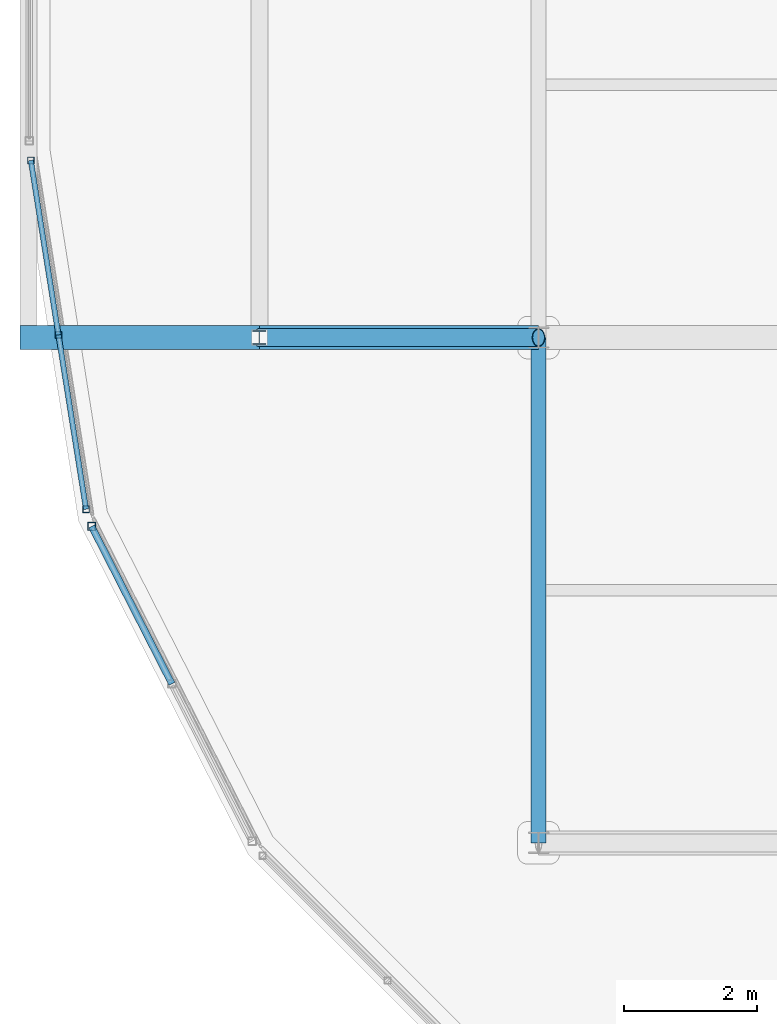
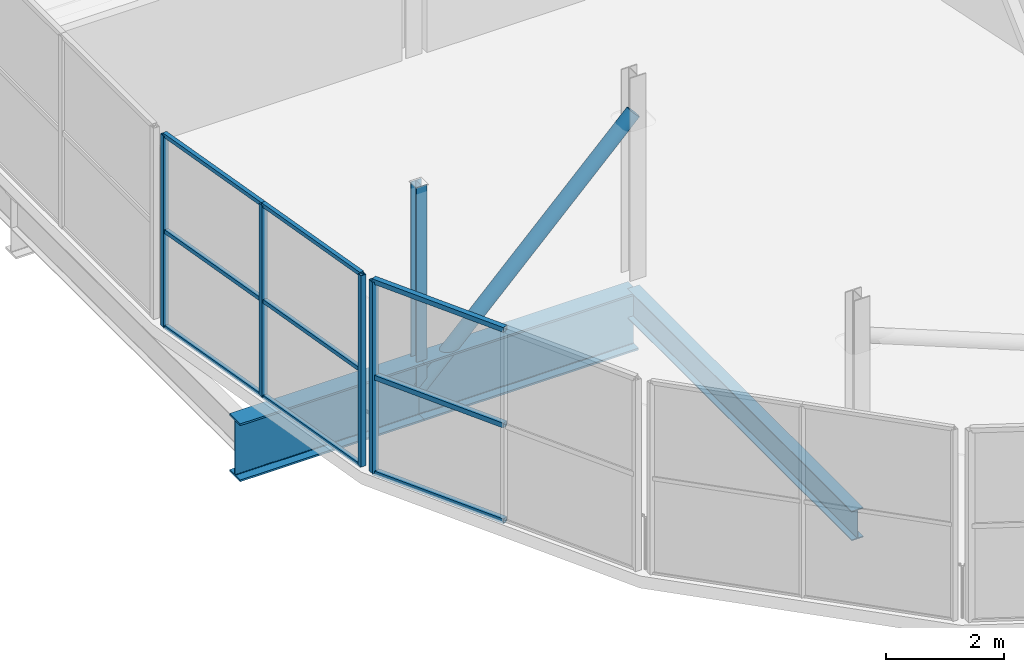
# One storey, part 21 of 151: 15 members, 3 beams, 2 elements without a shape of their own.
"""IFC4 building model written with IfcOpenShell, lengths in metres."""

from ifc_helpers import new_model, si_unit, direction, frame, origin, origin_2d, place, context, subcontext, project, spatial, hollow_rectangle, hollow_circle, i_section, extrude, material, material_profile, profile_set, type_object, element, aggregate, save


model = new_model("IFC4")

# Units and contexts
model_context = context("Model", 3, precision=1e-05, world=origin(), true_north=direction((0.0, 1.0)))
body_context = subcontext(model_context, "Body", "Model", "MODEL_VIEW")
ifc_project = project(units=[si_unit("LENGTHUNIT", "METRE"), si_unit("AREAUNIT", "SQUARE_METRE"), si_unit("VOLUMEUNIT", "CUBIC_METRE"), si_unit("PLANEANGLEUNIT", "RADIAN"), si_unit("MASSUNIT", "GRAM", prefix="KILO")], contexts=[model_context])

# Site, building, storey
site_placement = place(None, origin())
site = spatial("IfcSite", under=ifc_project, at=site_placement, CompositionType="ELEMENT")
building_placement = place(site_placement, origin())
building = spatial("IfcBuilding", under=site, at=building_placement, Name="Zuvorla Pavilion Media Centre", CompositionType="ELEMENT")
storey_placement = place(building_placement, frame((0.0, 0.0, 13.800048828125)))
storey = spatial("IfcBuildingStorey", under=building, at=storey_placement, Name="L03", CompositionType="ELEMENT", Elevation=13.800048828125)

# Beams
ifc_material_1 = material(Name="Steel S355", Category="steel")
ifc_material_profile_1 = material_profile(ifc_material_1, i_section(OverallWidth=0.360107421875, OverallDepth=1.199951171875, WebThickness=0.02001953125, FlangeThickness=0.0380859375, FilletRadius=0.02392578125, at=origin_2d()), Name="PG 1200x360x38")
ifc_profile_set_1 = profile_set([ifc_material_profile_1], Name="Steel S355")
beam_type_1 = type_object("IfcBeamType", Name="BM-PG1200", PredefinedType="BEAM", material=ifc_profile_set_1)
beam_1_placement = place(storey_placement, frame((16.39990234375, 59.199951171875, -0.858154296875), z_axis=(-1.0, 0.0, 0.0), x_axis=(0.0, -1.0, 0.0)))
element("IfcBeam", 1, at=beam_1_placement, inside=storey, type_object=beam_type_1, Name="L03 beam B01 1696", PredefinedType="BEAM", context=body_context, shape_type="SweptSolid", body=[
    extrude(i_section(OverallWidth=0.360107421875, OverallDepth=1.199951171875, WebThickness=0.02001953125, FlangeThickness=0.0380859375, FilletRadius=0.02392578125, at=origin_2d()), origin(), (0.0, 0.0, 1.0), 4.199951171875),
])
beam_2_placement = place(storey_placement, frame((12.199951171875, 59.199951171875, -0.858154296875), z_axis=(-1.0, 0.0, 0.0), x_axis=(0.0, -1.0, 0.0)))
element("IfcBeam", 2, at=beam_2_placement, inside=storey, type_object=beam_type_1, Name="L03 beam B01 1697", PredefinedType="BEAM", context=body_context, shape_type="SweptSolid", body=[
    extrude(i_section(OverallWidth=0.360107421875, OverallDepth=1.199951171875, WebThickness=0.02001953125, FlangeThickness=0.0380859375, FilletRadius=0.02392578125, at=origin_2d()), origin(), (0.0, 0.0, 1.0), 3.599853515625),
])
ifc_material_profile_2 = material_profile(ifc_material_1, i_section(OverallWidth=0.22900390625, OverallDepth=0.6123046875, WebThickness=0.011962890625, FlangeThickness=0.01953125, FilletRadius=0.0126953125, at=origin_2d()), Name="UB 610x229x125")
ifc_profile_set_2 = profile_set([ifc_material_profile_2], Name="Steel S355")
beam_type_2 = type_object("IfcBeamType", Name="BM-UB610", PredefinedType="BEAM", material=ifc_profile_set_2)
beam_3_placement = place(storey_placement, frame((16.39990234375, 51.60009765625, -0.564208984375), z_axis=(0.0, 1.0, 0.0), x_axis=(-1.0, 0.0, 0.0)))
element("IfcBeam", 3, at=beam_3_placement, inside=storey, type_object=beam_type_2, Name="L03 beam B07 1147", PredefinedType="BEAM", context=body_context, shape_type="SweptSolid", body=[
    extrude(i_section(OverallWidth=0.22900390625, OverallDepth=0.6123046875, WebThickness=0.011962890625, FlangeThickness=0.01953125, FilletRadius=0.0126953125, at=origin_2d()), origin(), (0.0, 0.0, 1.0), 7.599853515625),
])

# Curtain wall, members
ifc_material_2 = material(Name="Unitised anodised aluminium and solar glass curtain wall", Category="aluminium")
curtain_wall_type_1 = type_object("IfcCurtainWallType", Name="CW-SYS-02", PredefinedType="USERDEFINED", material=ifc_material_2)
curtain_wall_1_placement = place(storey_placement, origin())
curtain_wall_1 = element("IfcCurtainWall", 4, at=curtain_wall_1_placement, inside=storey, type_object=curtain_wall_type_1, Name="L03 curtain wall CW02 127", ObjectType="CURTAIN WALL", PredefinedType="USERDEFINED")
ifc_material_3 = material(Name="Anodised aluminium 6063-T6", Category="aluminium")
ifc_material_profile_3 = material_profile(ifc_material_3, hollow_rectangle(XDim=0.10009765625, YDim=0.10009765625, WallThickness=0.00439453125, at=origin_2d()), Name="ALU MULL 100x100")
ifc_profile_set_3 = profile_set([ifc_material_profile_3], Name="Anodised aluminium 6063-T6")
member_type_1 = type_object("IfcMemberType", Name="CW-MULL-100", PredefinedType="MULLION", material=ifc_profile_set_3)
member_1_placement = place(storey_placement, frame((8.76318359375, 61.864013671875, 0.0), z_axis=(0.0, 0.0, 1.0), x_axis=(1.0, 0.0, 0.0)))
member_1 = element("IfcMember", 5, at=member_1_placement, type_object=member_type_1, Name="CW02 mullion 1", PredefinedType="MULLION", context=body_context, shape_type="SweptSolid", body=[
    extrude(hollow_rectangle(XDim=0.10009765625, YDim=0.10009765625, WallThickness=0.00439453125, at=origin_2d()), origin(), (0.0, 0.0, 1.0), 3.9599609375),
])
member_2_placement = place(storey_placement, frame((9.1787109375, 59.24072265625, 0.0), z_axis=(0.0, 0.0, 1.0), x_axis=(1.0, 0.0, 0.0)))
member_2 = element("IfcMember", 6, at=member_2_placement, type_object=member_type_1, Name="CW02 mullion 2", PredefinedType="MULLION", context=body_context, shape_type="SweptSolid", body=[
    extrude(hollow_rectangle(XDim=0.10009765625, YDim=0.10009765625, WallThickness=0.00439453125, at=origin_2d()), origin(), (0.0, 0.0, 1.0), 3.9599609375),
])
member_3_placement = place(storey_placement, frame((9.59423828125, 56.61767578125, 0.0), z_axis=(0.0, 0.0, 1.0), x_axis=(1.0, 0.0, 0.0)))
member_3 = element("IfcMember", 7, at=member_3_placement, type_object=member_type_1, Name="CW02 mullion 3", PredefinedType="MULLION", context=body_context, shape_type="SweptSolid", body=[
    extrude(hollow_rectangle(XDim=0.10009765625, YDim=0.10009765625, WallThickness=0.00439453125, at=origin_2d()), origin(), (0.0, 0.0, 1.0), 3.9599609375),
])

curtain_wall_type_2 = type_object("IfcCurtainWallType", Name="CW-SYS-03", PredefinedType="USERDEFINED", material=ifc_material_2)
curtain_wall_2_placement = place(storey_placement, origin())
curtain_wall_2 = element("IfcCurtainWall", 8, at=curtain_wall_2_placement, inside=storey, type_object=curtain_wall_type_2, Name="L03 curtain wall CW03 128", ObjectType="CURTAIN WALL", PredefinedType="USERDEFINED")
ifc_material_profile_4 = material_profile(ifc_material_3, hollow_rectangle(XDim=0.1201171875, YDim=0.1201171875, WallThickness=0.0048828125, at=origin_2d()), Name="ALU MULL 120x120")
ifc_profile_set_4 = profile_set([ifc_material_profile_4], Name="Anodised aluminium 6063-T6")
member_type_2 = type_object("IfcMemberType", Name="CW-MULL-120", PredefinedType="MULLION", material=ifc_profile_set_4)
member_4_placement = place(storey_placement, frame((9.678466796875, 56.358642578125, 0.0), z_axis=(0.0, 0.0, 1.0), x_axis=(1.0, 0.0, 0.0)))
member_4 = element("IfcMember", 9, at=member_4_placement, type_object=member_type_2, Name="CW03 mullion 1", PredefinedType="MULLION", context=body_context, shape_type="SweptSolid", body=[
    extrude(hollow_rectangle(XDim=0.1201171875, YDim=0.1201171875, WallThickness=0.0048828125, at=origin_2d()), origin(), (0.0, 0.0, 1.0), 3.9599609375),
])
ifc_material_profile_5 = material_profile(ifc_material_3, hollow_rectangle(XDim=0.10009765625, YDim=0.10009765625, WallThickness=0.00439453125, at=origin_2d()), Name="ALU TRAN 100x100")
ifc_profile_set_5 = profile_set([ifc_material_profile_5], Name="Anodised aluminium 6063-T6")
member_type_3 = type_object("IfcMemberType", Name="CW-TRAN-100", PredefinedType="USERDEFINED", material=ifc_profile_set_5)
member_5_placement = place(storey_placement, frame((9.678466796875, 56.358642578125, 0.0), z_axis=(0.45396709639, -0.891018448403, 0.0), x_axis=(0.891018448403, 0.45396709639, 0.0)))
member_5 = element("IfcMember", 10, at=member_5_placement, type_object=member_type_3, Name="CW03 transom 1.1", ObjectType="TRANSOM", PredefinedType="USERDEFINED", context=body_context, shape_type="SweptSolid", body=[
    extrude(hollow_rectangle(XDim=0.10009765625, YDim=0.10009765625, WallThickness=0.00439453125, at=origin_2d()), origin(), (0.0, 0.0, 1.0), 2.655517578125),
])
member_6_placement = place(storey_placement, frame((9.678466796875, 56.358642578125, 1.97998046875), z_axis=(0.45396709639, -0.891018448403, 0.0), x_axis=(0.891018448403, 0.45396709639, 0.0)))
member_6 = element("IfcMember", 11, at=member_6_placement, type_object=member_type_3, Name="CW03 transom 1.2", ObjectType="TRANSOM", PredefinedType="USERDEFINED", context=body_context, shape_type="SweptSolid", body=[
    extrude(hollow_rectangle(XDim=0.10009765625, YDim=0.10009765625, WallThickness=0.00439453125, at=origin_2d()), origin(), (0.0, 0.0, 1.0), 2.655517578125),
])
member_7_placement = place(storey_placement, frame((9.678466796875, 56.358642578125, 3.9599609375), z_axis=(0.45396709639, -0.891018448403, 0.0), x_axis=(0.891018448403, 0.45396709639, 0.0)))
member_7 = element("IfcMember", 12, at=member_7_placement, type_object=member_type_3, Name="CW03 transom 1.3", ObjectType="TRANSOM", PredefinedType="USERDEFINED", context=body_context, shape_type="SweptSolid", body=[
    extrude(hollow_rectangle(XDim=0.10009765625, YDim=0.10009765625, WallThickness=0.00439453125, at=origin_2d()), origin(), (0.0, 0.0, 1.0), 2.655517578125),
])
aggregate(curtain_wall_2, [member_4, member_5, member_6, member_7])

# Member
ifc_material_profile_6 = material_profile(ifc_material_3, hollow_rectangle(XDim=0.080078125, YDim=0.080078125, WallThickness=0.00390625, at=origin_2d()), Name="ALU TRAN 80x80")
ifc_profile_set_6 = profile_set([ifc_material_profile_6], Name="Anodised aluminium 6063-T6")
member_type_4 = type_object("IfcMemberType", Name="CW-TRAN-80", PredefinedType="USERDEFINED", material=ifc_profile_set_6)
member_8_placement = place(storey_placement, frame((8.76318359375, 61.864013671875, 0.0), z_axis=(0.156448739647, -0.987686079614, 0.0), x_axis=(0.987686079614, 0.156448739647, 0.0)))
member_8 = element("IfcMember", 13, at=member_8_placement, type_object=member_type_4, Name="CW02 transom 1.1", ObjectType="TRANSOM", PredefinedType="USERDEFINED", context=body_context, shape_type="SweptSolid", body=[
    extrude(hollow_rectangle(XDim=0.080078125, YDim=0.080078125, WallThickness=0.00390625, at=origin_2d()), origin(), (0.0, 0.0, 1.0), 2.656005859375),
])

member_9_placement = place(storey_placement, frame((8.76318359375, 61.864013671875, 1.97998046875), z_axis=(0.156448739647, -0.987686079614, 0.0), x_axis=(0.987686079614, 0.156448739647, 0.0)))
member_9 = element("IfcMember", 14, at=member_9_placement, type_object=member_type_4, Name="CW02 transom 1.2", ObjectType="TRANSOM", PredefinedType="USERDEFINED", context=body_context, shape_type="SweptSolid", body=[
    extrude(hollow_rectangle(XDim=0.080078125, YDim=0.080078125, WallThickness=0.00390625, at=origin_2d()), origin(), (0.0, 0.0, 1.0), 2.656005859375),
])

member_10_placement = place(storey_placement, frame((8.76318359375, 61.864013671875, 3.9599609375), z_axis=(0.156448739647, -0.987686079614, 0.0), x_axis=(0.987686079614, 0.156448739647, 0.0)))
member_10 = element("IfcMember", 15, at=member_10_placement, type_object=member_type_4, Name="CW02 transom 1.3", ObjectType="TRANSOM", PredefinedType="USERDEFINED", context=body_context, shape_type="SweptSolid", body=[
    extrude(hollow_rectangle(XDim=0.080078125, YDim=0.080078125, WallThickness=0.00390625, at=origin_2d()), origin(), (0.0, 0.0, 1.0), 2.656005859375),
])

member_11_placement = place(storey_placement, frame((9.1787109375, 59.24072265625, 0.0), z_axis=(0.156462944686, -0.987683829441, 0.0), x_axis=(0.987683829441, 0.156462944686, 0.0)))
member_11 = element("IfcMember", 16, at=member_11_placement, type_object=member_type_4, Name="CW02 transom 2.1", ObjectType="TRANSOM", PredefinedType="USERDEFINED", context=body_context, shape_type="SweptSolid", body=[
    extrude(hollow_rectangle(XDim=0.080078125, YDim=0.080078125, WallThickness=0.00390625, at=origin_2d()), origin(), (0.0, 0.0, 1.0), 2.65576171875),
])

member_12_placement = place(storey_placement, frame((9.1787109375, 59.24072265625, 1.97998046875), z_axis=(0.156462944686, -0.987683829441, 0.0), x_axis=(0.987683829441, 0.156462944686, 0.0)))
member_12 = element("IfcMember", 17, at=member_12_placement, type_object=member_type_4, Name="CW02 transom 2.2", ObjectType="TRANSOM", PredefinedType="USERDEFINED", context=body_context, shape_type="SweptSolid", body=[
    extrude(hollow_rectangle(XDim=0.080078125, YDim=0.080078125, WallThickness=0.00390625, at=origin_2d()), origin(), (0.0, 0.0, 1.0), 2.65576171875),
])

member_13_placement = place(storey_placement, frame((9.1787109375, 59.24072265625, 3.9599609375), z_axis=(0.156462944686, -0.987683829441, 0.0), x_axis=(0.987683829441, 0.156462944686, 0.0)))
member_13 = element("IfcMember", 18, at=member_13_placement, type_object=member_type_4, Name="CW02 transom 2.3", ObjectType="TRANSOM", PredefinedType="USERDEFINED", context=body_context, shape_type="SweptSolid", body=[
    extrude(hollow_rectangle(XDim=0.080078125, YDim=0.080078125, WallThickness=0.00390625, at=origin_2d()), origin(), (0.0, 0.0, 1.0), 2.65576171875),
])

aggregate(curtain_wall_1, [member_1, member_2, member_3, member_8, member_9, member_10, member_11, member_12, member_13])

# Members
ifc_material_profile_7 = material_profile(ifc_material_1, hollow_circle(Radius=0.136474609375, WallThickness=0.012451171875, at=origin_2d()), Name="CHS 273x12.5")
ifc_profile_set_7 = profile_set([ifc_material_profile_7], Name="Steel S355")
member_type_5 = type_object("IfcMemberType", Name="MEM-BRC-CHS273", PredefinedType="BRACE", material=ifc_profile_set_7)
member_14_placement = place(storey_placement, frame((16.39990234375, 59.199951171875, 3.35986328125), z_axis=(-0.704583438737, 0.0, -0.709621150937), x_axis=(0.0, -1.0, 0.0)))
element("IfcMember", 19, at=member_14_placement, inside=storey, type_object=member_type_5, Name="L03 diagonal brace TB01 13", PredefinedType="BRACE", context=body_context, shape_type="SweptSolid", body=[
    extrude(hollow_circle(Radius=0.136474609375, WallThickness=0.012451171875, at=origin_2d()), origin(), (0.0, 0.0, 1.0), 5.9609375),
])
ifc_material_profile_8 = material_profile(ifc_material_1, i_section(OverallWidth=0.205810546875, OverallDepth=0.209716796875, WebThickness=0.009521484375, FlangeThickness=0.01416015625, FilletRadius=0.01025390625, at=origin_2d()), Name="UC 203x203x60")
ifc_profile_set_8 = profile_set([ifc_material_profile_8], Name="Steel S355")
member_type_6 = type_object("IfcMemberType", Name="MEM-STR-UC203", PredefinedType="STRUT", material=ifc_profile_set_8)
member_15_placement = place(storey_placement, frame((12.199951171875, 59.199951171875, -0.8701171875), z_axis=(0.0, 0.0, 1.0), x_axis=(1.0, 0.0, 0.0)))
element("IfcMember", 20, at=member_15_placement, inside=storey, type_object=member_type_6, Name="L03 vertical strut TS02 14", PredefinedType="STRUT", context=body_context, shape_type="SweptSolid", body=[
    extrude(i_section(OverallWidth=0.205810546875, OverallDepth=0.209716796875, WebThickness=0.009521484375, FlangeThickness=0.01416015625, FilletRadius=0.01025390625, at=origin_2d()), origin(), (0.0, 0.0, 1.0), 4.22998046875),
])

save(model, "model.ifc")
